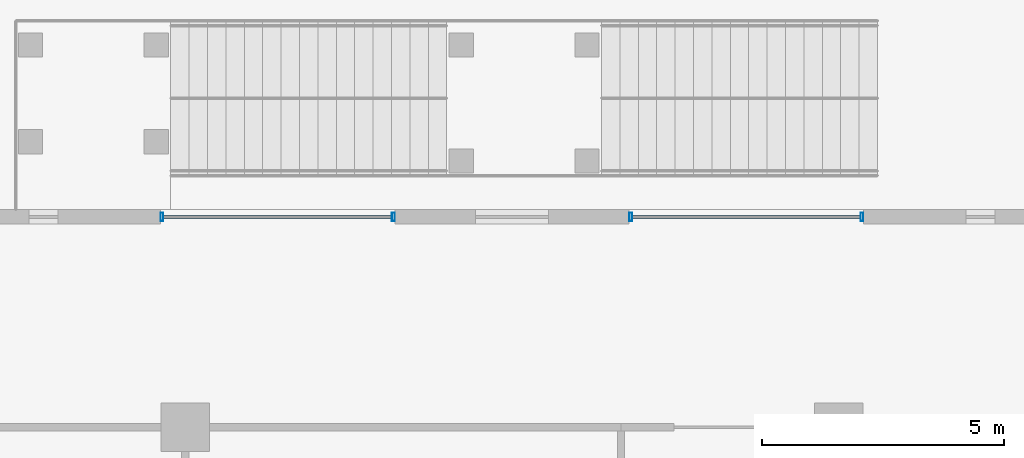
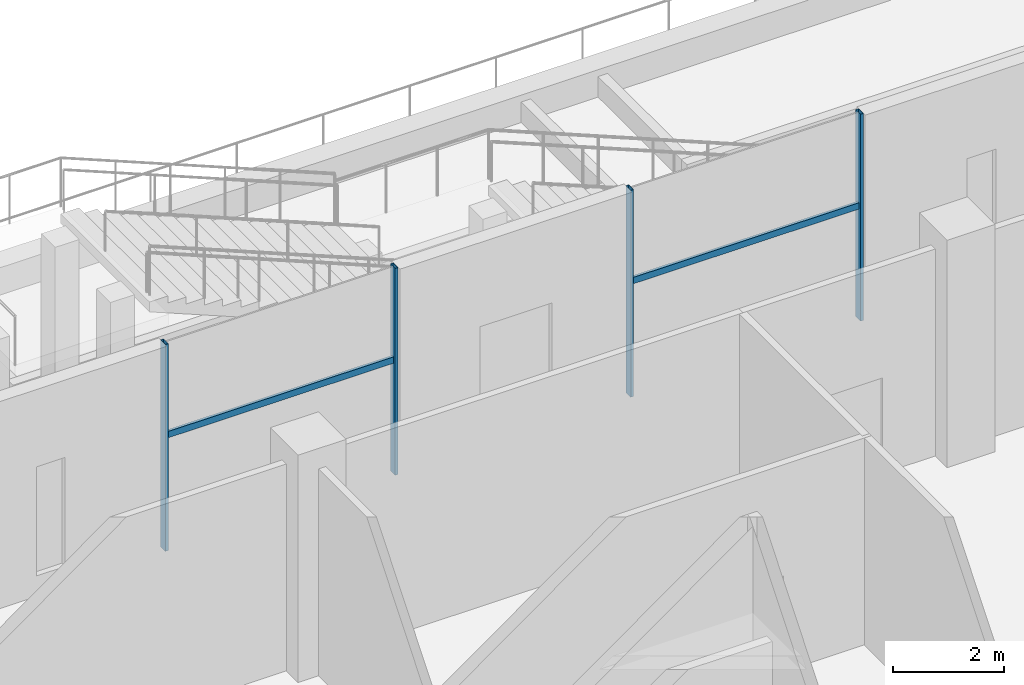
# One storey, part 23 of 49: 6 members, 2 elements without a shape of their own.
"""IFC4 building model written with IfcOpenShell, lengths in metres."""

from ifc_helpers import new_model, si_unit, direction, frame, origin, origin_2d, place, context, subcontext, project, spatial, hollow_rectangle, extrude, material, material_profile, profile_set, type_object, element, aggregate, save


model = new_model("IFC4")

# Units and contexts
model_context = context("Model", 3, precision=1e-05, world=origin(), true_north=direction((0.0, 1.0)))
body_context = subcontext(model_context, "Body", "Model", "MODEL_VIEW")
ifc_project = project(units=[si_unit("LENGTHUNIT", "METRE"), si_unit("AREAUNIT", "SQUARE_METRE"), si_unit("VOLUMEUNIT", "CUBIC_METRE"), si_unit("PLANEANGLEUNIT", "RADIAN"), si_unit("MASSUNIT", "GRAM", prefix="KILO")], contexts=[model_context])

# Site, building, storey
site_placement = place(None, origin())
site = spatial("IfcSite", under=ifc_project, at=site_placement, CompositionType="ELEMENT")
building_placement = place(site_placement, origin())
building = spatial("IfcBuilding", under=site, at=building_placement, Name="Altepetl Exchange Towers", CompositionType="ELEMENT")
storey_placement = place(building_placement, frame((0.0, 0.0, 11.5)))
storey = spatial("IfcBuildingStorey", under=building, at=storey_placement, Name="L02 Exchange podium", CompositionType="ELEMENT", Elevation=11.5)

# Curtain wall, members
ifc_material_1 = material(Name="Aluminium 6063-T6 glazing", Category="aluminium")
curtain_wall_type = type_object("IfcCurtainWallType", Name="Podium storefront system", PredefinedType="NOTDEFINED", material=ifc_material_1)
curtain_wall_1_placement = place(storey_placement, origin())
curtain_wall_1 = element("IfcCurtainWall", 1, at=curtain_wall_1_placement, inside=storey, type_object=curtain_wall_type, Name="CW5 run", PredefinedType="NOTDEFINED")
ifc_material_2 = material(Name="Aluminium 6063-T6", Category="aluminium")
ifc_material_profile_1 = material_profile(ifc_material_2, hollow_rectangle(XDim=0.06005859375, YDim=0.175048828125, WallThickness=0.0029296875, at=origin_2d()), Name="Mullion 60x175 aluminium")
ifc_profile_set_1 = profile_set([ifc_material_profile_1], Name="Aluminium 6063-T6")
member_type_1 = type_object("IfcMemberType", Name="Mullion 60x175 aluminium", PredefinedType="MULLION", material=ifc_profile_set_1)
member_1_placement = place(storey_placement, frame((117.47998046875, 80.85009765625, 0.0), z_axis=(0.0, 0.0, 1.0), x_axis=(-1.0, 0.0, 0.0)))
member_1 = element("IfcMember", 2, at=member_1_placement, type_object=member_type_1, Name="MU4 mullion", PredefinedType="MULLION", context=body_context, shape_type="SweptSolid", body=[
    extrude(hollow_rectangle(XDim=0.06005859375, YDim=0.175048828125, WallThickness=0.0029296875, at=origin_2d()), origin(), (0.0, 0.0, 1.0), 4.550048828125),
])
member_2_placement = place(storey_placement, frame((112.699951171875, 80.85009765625, 0.0), z_axis=(0.0, 0.0, 1.0), x_axis=(-1.0, 0.0, 0.0)))
member_2 = element("IfcMember", 3, at=member_2_placement, type_object=member_type_1, Name="MU4 mullion", PredefinedType="MULLION", context=body_context, shape_type="SweptSolid", body=[
    extrude(hollow_rectangle(XDim=0.06005859375, YDim=0.175048828125, WallThickness=0.0029296875, at=origin_2d()), origin(), (0.0, 0.0, 1.0), 4.550048828125),
])

curtain_wall_2_placement = place(storey_placement, origin())
curtain_wall_2 = element("IfcCurtainWall", 4, at=curtain_wall_2_placement, inside=storey, type_object=curtain_wall_type, Name="CW5 run", PredefinedType="NOTDEFINED")
member_3_placement = place(storey_placement, frame((107.800048828125, 80.85009765625, 0.0), z_axis=(0.0, 0.0, 1.0), x_axis=(-1.0, 0.0, 0.0)))
member_3 = element("IfcMember", 5, at=member_3_placement, type_object=member_type_1, Name="MU4 mullion", PredefinedType="MULLION", context=body_context, shape_type="SweptSolid", body=[
    extrude(hollow_rectangle(XDim=0.06005859375, YDim=0.175048828125, WallThickness=0.0029296875, at=origin_2d()), origin(), (0.0, 0.0, 1.0), 4.550048828125),
])
member_4_placement = place(storey_placement, frame((103.02001953125, 80.85009765625, 0.0), z_axis=(0.0, 0.0, 1.0), x_axis=(-1.0, 0.0, 0.0)))
member_4 = element("IfcMember", 6, at=member_4_placement, type_object=member_type_1, Name="MU4 mullion", PredefinedType="MULLION", context=body_context, shape_type="SweptSolid", body=[
    extrude(hollow_rectangle(XDim=0.06005859375, YDim=0.175048828125, WallThickness=0.0029296875, at=origin_2d()), origin(), (0.0, 0.0, 1.0), 4.550048828125),
])

# Member
ifc_material_profile_2 = material_profile(ifc_material_2, hollow_rectangle(XDim=0.06005859375, YDim=0.139892578125, WallThickness=0.0029296875, at=origin_2d()), Name="Transom 60x140 aluminium")
ifc_profile_set_2 = profile_set([ifc_material_profile_2], Name="Aluminium 6063-T6")
member_type_2 = type_object("IfcMemberType", Name="Transom 60x140 aluminium", PredefinedType="USERDEFINED", material=ifc_profile_set_2)
member_5_placement = place(storey_placement, frame((117.449951171875, 80.85009765625, 2.5), z_axis=(-1.0, 0.0, 0.0), x_axis=(0.0, -1.0, 0.0)))
member_5 = element("IfcMember", 7, at=member_5_placement, type_object=member_type_2, Name="TR3 transom", ObjectType="TRANSOM", PredefinedType="USERDEFINED", context=body_context, shape_type="SweptSolid", body=[
    extrude(hollow_rectangle(XDim=0.06005859375, YDim=0.139892578125, WallThickness=0.0029296875, at=origin_2d()), origin(), (0.0, 0.0, 1.0), 4.719970703125),
])

aggregate(curtain_wall_1, [member_1, member_2, member_5])

member_6_placement = place(storey_placement, frame((107.77001953125, 80.85009765625, 2.5), z_axis=(-1.0, 0.0, 0.0), x_axis=(0.0, -1.0, 0.0)))
member_6 = element("IfcMember", 8, at=member_6_placement, type_object=member_type_2, Name="TR3 transom", ObjectType="TRANSOM", PredefinedType="USERDEFINED", context=body_context, shape_type="SweptSolid", body=[
    extrude(hollow_rectangle(XDim=0.06005859375, YDim=0.139892578125, WallThickness=0.0029296875, at=origin_2d()), origin(), (0.0, 0.0, 1.0), 4.719970703125),
])

aggregate(curtain_wall_2, [member_3, member_4, member_6])

save(model, "model.ifc")
